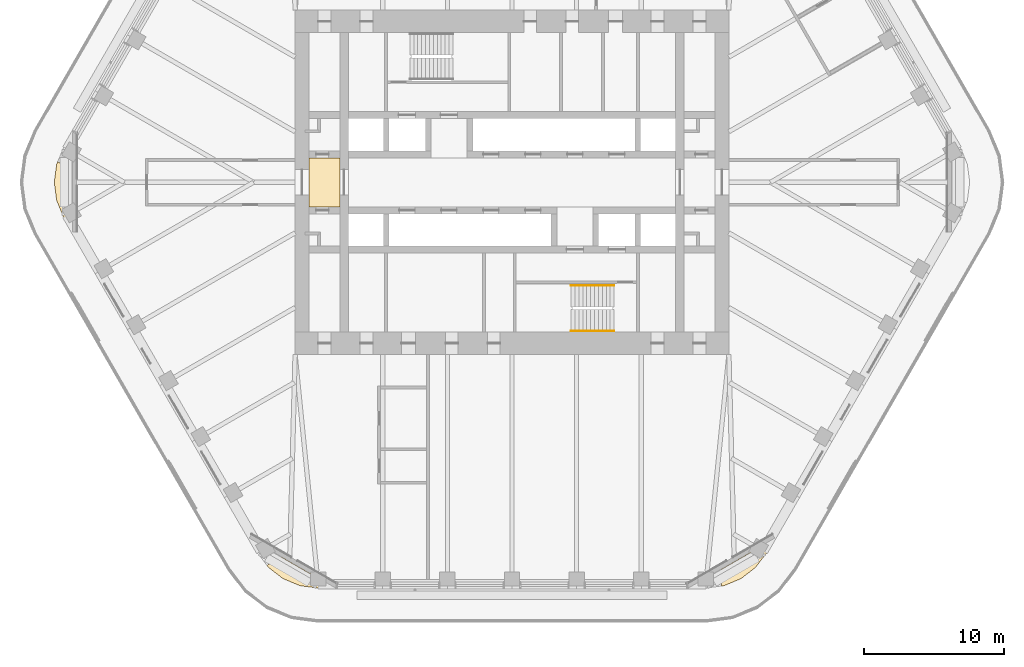
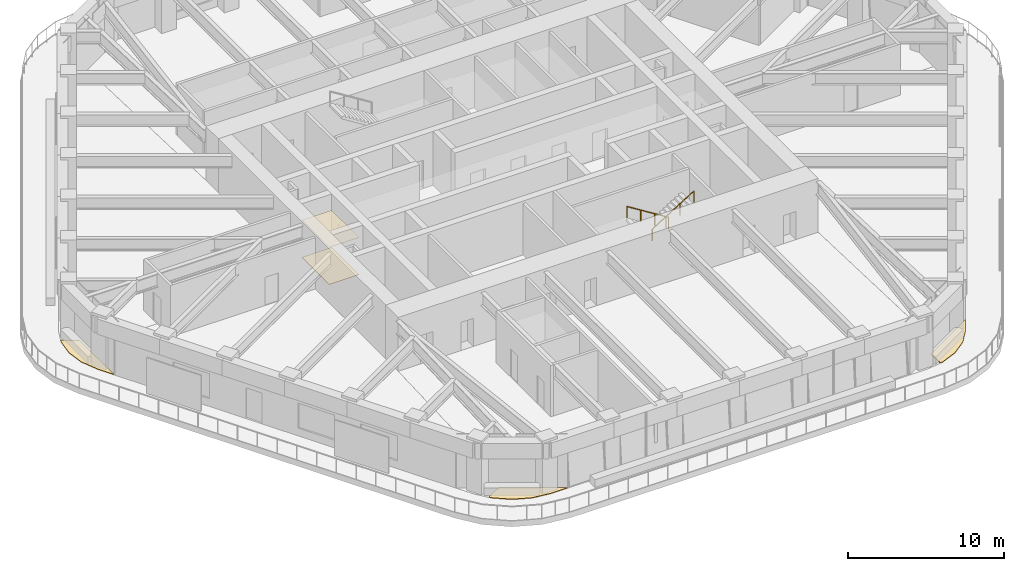
# One storey, part 18 of 20: 5 coverings, 2 railings.
"""IFC4 building model written with IfcOpenShell, lengths in metres."""

import ifcopenshell
import ifcopenshell.guid

model = None  # the IFC model being written
_history = None  # IfcOwnerHistory: only IFC2X3 demands one
_inside = {}  # id of a spatial element -> (the spatial element, [elements in it])
_under = {}  # id of a project, library or spatial element -> (it, [spatial elements below it])
_declared = {}  # id of a project -> (the project, [libraries it declares])
_typed = {}  # id of a type object -> (the type object, [elements of that type])
_made_of = {}  # id of a material, layer set ... -> (it, [elements and type objects made of it])


def new_model(schema):
    """Start an empty IFC model of exactly this schema.

    Asked for "IFC4X3", IfcOpenShell would pick the latest addendum, in which some entities
    have other attributes; the version numbers below select the first issue.
    IFC2X3 requires an IfcOwnerHistory on every rooted entity: one is made here for all.
    """
    global model, _history
    if schema == "IFC4X3":
        model = ifcopenshell.file(schema_version=(4, 3, 0, 0))
    else:
        model = ifcopenshell.file(schema=schema)
    _inside.clear()
    _under.clear()
    _declared.clear()
    _typed.clear()
    _made_of.clear()
    _history = None
    if model.schema == "IFC2X3":
        org = make("IfcOrganization", Name="unknown")
        user = make(
            "IfcPersonAndOrganization",
            ThePerson=make("IfcPerson", FamilyName="unknown"),
            TheOrganization=org,
        )
        app = make(
            "IfcApplication",
            ApplicationDeveloper=org,
            Version="unknown",
            ApplicationFullName="unknown",
            ApplicationIdentifier="unknown",
        )
        _history = make(
            "IfcOwnerHistory",
            OwningUser=user,
            OwningApplication=app,
            ChangeAction="ADDED",
            CreationDate=0,
        )
    return model


def make(cls, **values):
    """One entity of the class cls with the attributes given. An attribute that is None is left unset."""
    return model.create_entity(
        cls, **{name: value for name, value in values.items() if value is not None}
    )


def rooted(cls, **values):
    """An entity with a GlobalId (a new one), such as an element, a storey or a relation."""
    return make(cls, GlobalId=ifcopenshell.guid.new(), OwnerHistory=_history, **values)


def si_unit(unit_type, name, prefix=None):
    """IfcSIUnit, for example si_unit("LENGTHUNIT", "METRE", prefix="MILLI")."""
    return make("IfcSIUnit", UnitType=unit_type, Prefix=prefix, Name=name)


def assignment(units):
    """IfcUnitAssignment: the units of a project."""
    return None if units is None else make("IfcUnitAssignment", Units=units)


def point(xyz):
    """IfcCartesianPoint."""
    return None if xyz is None else make("IfcCartesianPoint", Coordinates=xyz)


def direction(xyz):
    """IfcDirection."""
    return None if xyz is None else make("IfcDirection", DirectionRatios=xyz)


def frame(location, z_axis=None, x_axis=None):
    """IfcAxis2Placement3D, a coordinate frame: its origin and axes. An axis left out is left unset."""
    return make(
        "IfcAxis2Placement3D",
        Location=point(location),
        Axis=direction(z_axis),
        RefDirection=direction(x_axis),
    )


def frame_2d(location, x_axis=None):
    """IfcAxis2Placement2D, a coordinate frame in the plane: its origin and x axis."""
    return make(
        "IfcAxis2Placement2D", Location=point(location), RefDirection=direction(x_axis)
    )


def origin():
    """The frame at (0, 0, 0) with its axes left unset."""
    return frame((0.0, 0.0, 0.0))


def origin_2d():
    """The frame at (0, 0) in the plane with its x axis left unset."""
    return frame_2d((0.0, 0.0))


def place(relative_to, where):
    """IfcLocalPlacement: puts the frame where relative to a parent placement (None: the world)."""
    return make(
        "IfcLocalPlacement", PlacementRelTo=relative_to, RelativePlacement=where
    )


def context(
    kind, dimensions, precision=None, world=None, true_north=None, identifier=None
):
    """IfcGeometricRepresentationContext, for example the 3D "Model" context."""
    return make(
        "IfcGeometricRepresentationContext",
        ContextIdentifier=identifier,
        ContextType=kind,
        CoordinateSpaceDimension=dimensions,
        Precision=precision,
        WorldCoordinateSystem=world,
        TrueNorth=true_north,
    )


def subcontext(parent, identifier, kind, view, scale=None):
    """IfcGeometricRepresentationSubContext, for example "Body" below "Model"."""
    return make(
        "IfcGeometricRepresentationSubContext",
        ContextIdentifier=identifier,
        ContextType=kind,
        ParentContext=parent,
        TargetScale=scale,
        TargetView=view,
    )


def project(units=None, contexts=None):
    """IfcProject with its units and contexts."""
    return rooted(
        "IfcProject",
        Name="project",
        RepresentationContexts=contexts,
        UnitsInContext=assignment(units),
    )


def spatial(cls, under=None, at=None, **own):
    """A site, building, storey or space (cls), placed at a placement, below another one or the project."""
    s = rooted(cls, ObjectPlacement=at, **own)
    if under is not None:
        _under.setdefault(under.id(), (under, []))[1].append(s)
    return s


def polyline(points):
    """IfcPolyline through the points."""
    return make("IfcPolyline", Points=[point(p) for p in points])


def profile(cls, at=None, kind="AREA", **sizes):
    """A parametric profile (cls). Its sizes go by their IFC names, for example OverallWidth=200.0."""
    return make(cls, ProfileType=kind, Position=at, **sizes)


def circle(**sizes):
    """IfcCircleProfileDef."""
    return profile("IfcCircleProfileDef", **sizes)


def outline(outer, holes=None, kind="AREA"):
    """IfcArbitraryClosedProfileDef: a profile drawn as a closed curve; with holes, ...WithVoids."""
    if holes is None:
        return make("IfcArbitraryClosedProfileDef", ProfileType=kind, OuterCurve=outer)
    return make(
        "IfcArbitraryProfileDefWithVoids",
        ProfileType=kind,
        OuterCurve=outer,
        InnerCurves=holes,
    )


def extrude(swept, where, along, depth):
    """IfcExtrudedAreaSolid: the profile swept, set in the frame where, extruded along a direction by depth."""
    return make(
        "IfcExtrudedAreaSolid",
        SweptArea=swept,
        Position=where,
        ExtrudedDirection=direction(along),
        Depth=depth,
    )


def shape(context_of_items, identifier, shape_type, items):
    """IfcShapeRepresentation: the items that make up one representation, for example the "Body"."""
    return make(
        "IfcShapeRepresentation",
        ContextOfItems=context_of_items,
        RepresentationIdentifier=identifier,
        RepresentationType=shape_type,
        Items=items,
    )


def material(Name=None, Category=None):
    """IfcMaterial."""
    return make("IfcMaterial", Name=Name, Category=Category)


def layer(
    of_material, thickness, ventilated=None, Name=None, Category=None, Priority=None
):
    """IfcMaterialLayer: one layer of a wall or slab, of a material (None: an air gap)."""
    return make(
        "IfcMaterialLayer",
        Material=of_material,
        LayerThickness=thickness,
        IsVentilated=ventilated,
        Name=Name,
        Category=Category,
        Priority=Priority,
    )


def layer_set(layers, Name=None):
    """IfcMaterialLayerSet."""
    return make("IfcMaterialLayerSet", MaterialLayers=layers, LayerSetName=Name)


def made_of(thing, what):
    """Note that an element or type object is made of a material, layer set ...; save() writes the relation."""
    if what is not None:
        _made_of.setdefault(what.id(), (what, []))[1].append(thing)
    return thing


def type_object(cls, material=None, **own):
    """A type object (cls), such as IfcWallType, which elements share."""
    return made_of(rooted(cls, **own), material)


def element(
    cls,
    number,
    at=None,
    inside=None,
    cuts=None,
    type_object=None,
    material=None,
    context=None,
    identifier="Body",
    shape_type=None,
    held_by="IfcProductDefinitionShape",
    body=None,
    shapes=None,
    **own,
):
    """One element of the class cls, such as IfcWall. Its Tag is "e" and its number.

    at: its placement. inside: the storey or other place that contains it. cuts: it is an
    opening in that element (IfcRelVoidsElement). A single representation is given by context,
    identifier, shape_type and body (its items); several are given by shapes. held_by: the class
    of the entity that holds the representations. save() writes the other relations.
    """
    e = rooted(cls, Tag="e%d" % number, ObjectPlacement=at, **own)
    if body is not None:
        shapes = [shape(context, identifier, shape_type, body)]
    if shapes is not None:
        e.Representation = make(held_by, Representations=shapes)
    if inside is not None:
        _inside.setdefault(inside.id(), (inside, []))[1].append(e)
    if cuts is not None:
        rooted(
            "IfcRelVoidsElement", RelatingBuildingElement=cuts, RelatedOpeningElement=e
        )
    if type_object is not None:
        _typed.setdefault(type_object.id(), (type_object, []))[1].append(e)
    return made_of(e, material)


def aggregate(whole, parts):
    """IfcRelAggregates: a whole, such as a stair, and the parts it consists of."""
    return rooted("IfcRelAggregates", RelatingObject=whole, RelatedObjects=parts)


def save(model, path):
    """Write the relations noted so far, then the file.

    IfcRelAggregates (storeys below a building ...), IfcRelContainedInSpatialStructure (elements
    in a storey), IfcRelDefinesByType, IfcRelAssociatesMaterial and IfcRelDeclares: one each for
    every whole, place, type object, material and project.
    """
    for whole, parts in _under.values():
        aggregate(whole, parts)
    for where, things in _inside.values():
        rooted(
            "IfcRelContainedInSpatialStructure",
            RelatedElements=things,
            RelatingStructure=where,
        )
    for kind, things in _typed.values():
        rooted("IfcRelDefinesByType", RelatedObjects=things, RelatingType=kind)
    for what, things in _made_of.values():
        rooted("IfcRelAssociatesMaterial", RelatedObjects=things, RelatingMaterial=what)
    for by, libraries in _declared.values():
        rooted("IfcRelDeclares", RelatingContext=by, RelatedDefinitions=libraries)
    model.write(path)


model = new_model("IFC4")

# Units and contexts
model_context = context("Model", 3, precision=1e-05, world=origin(), true_north=direction((0.0, 1.0)))
body_context = subcontext(model_context, "Body", "Model", "MODEL_VIEW")
ifc_project = project(units=[si_unit("LENGTHUNIT", "METRE"), si_unit("AREAUNIT", "SQUARE_METRE"), si_unit("VOLUMEUNIT", "CUBIC_METRE"), si_unit("PLANEANGLEUNIT", "RADIAN"), si_unit("MASSUNIT", "GRAM", prefix="KILO")], contexts=[model_context])

# Site, building, storey
site_placement = place(None, origin())
site = spatial("IfcSite", under=ifc_project, at=site_placement, CompositionType="ELEMENT")
building_placement = place(site_placement, origin())
building = spatial("IfcBuilding", under=site, at=building_placement, Name="Tarfa Lantern Tower", CompositionType="ELEMENT")
storey_placement = place(building_placement, frame((0.0, 0.0, 291.10009765625)))
storey = spatial("IfcBuildingStorey", under=building, at=storey_placement, Name="L66", CompositionType="ELEMENT", Elevation=291.10009765625)

# Coverings
ifc_material_1 = material(Name="Powder-coated aluminium panel", Category="aluminium")
ifc_layer_1 = layer(ifc_material_1, 0.030029296875)
ifc_layer_set_1 = layer_set([ifc_layer_1], Name="CL3 METAL PANEL CEILING 30")
covering_type_1 = type_object("IfcCoveringType", Name="CL3 METAL PANEL CEILING 30", PredefinedType="CEILING", material=ifc_layer_set_1)
covering_1_placement = place(storey_placement, frame((0.0, 0.0, 2.89990234375)))
element("IfcCovering", 1, at=covering_1_placement, inside=storey, type_object=covering_type_1, Name="Ceiling L66-01", PredefinedType="CEILING", context=body_context, shape_type="SweptSolid", body=[
    extrude(outline(polyline([(-14.5, -1.75), (-12.300048828125, -1.75), (-12.300048828125, 1.75), (-14.5, 1.75), (-14.5, -1.75)])), origin(), (0.0, 0.0, 1.0), 0.030029296875),
])
ifc_material_2 = material(Name="Honed limestone flooring", Category="masonry")
ifc_layer_2 = layer(ifc_material_2, 0.030029296875)
ifc_layer_set_2 = layer_set([ifc_layer_2], Name="FL2 STONE FLOORING 30")
covering_type_2 = type_object("IfcCoveringType", Name="FL2 STONE FLOORING 30", PredefinedType="FLOORING", material=ifc_layer_set_2)
covering_2_placement = place(storey_placement, origin())
element("IfcCovering", 2, at=covering_2_placement, inside=storey, type_object=covering_type_2, Name="Floor finish L66-01", PredefinedType="FLOORING", context=body_context, shape_type="SweptSolid", body=[
    extrude(outline(polyline([(-14.5, -1.75), (-12.300048828125, -1.75), (-12.300048828125, 1.75), (-14.5, 1.75), (-14.5, -1.75)])), origin(), (0.0, 0.0, 1.0), 0.02978515625),
])

# Railings
ifc_material_3 = material(Name="Stainless steel", Category="steel")
railing_type = type_object("IfcRailingType", Name="HR1 HANDRAIL 900", PredefinedType="HANDRAIL", material=ifc_material_3)
railing_1_placement = place(storey_placement, frame((7.300048828125, -7.3798828125, 0.1748046875)))
element("IfcRailing", 3, at=railing_1_placement, inside=storey, type_object=railing_type, Name="Handrail 1", PredefinedType="HANDRAIL", context=body_context, shape_type="SweptSolid", body=[
    extrude(circle(Radius=0.02392578125, at=origin_2d()), frame((0.0, 0.0, 0.8759765625), z_axis=(-0.847998304005, 0.0, 0.529998940003), x_axis=(0.0, -1.0, 0.0)), (0.0, 0.0, 1.0), 3.632080078125),
    extrude(circle(Radius=0.02099609375, at=origin_2d()), frame((0.0, 0.0, 0.0), z_axis=(0.0, 0.0, 1.0), x_axis=(0.0, -1.0, 0.0)), (0.0, 0.0, 1.0), 0.851806640625),
    extrude(circle(Radius=0.02099609375, at=origin_2d()), frame((-1.026611328125, 0.0, 0.6416015625), z_axis=(0.0, 0.0, 1.0), x_axis=(0.0, -1.0, 0.0)), (0.0, 0.0, 1.0), 0.851806640625),
    extrude(circle(Radius=0.02099609375, at=origin_2d()), frame((-2.053466796875, 0.0, 1.283447265625), z_axis=(0.0, 0.0, 1.0), x_axis=(0.0, -1.0, 0.0)), (0.0, 0.0, 1.0), 0.851806640625),
    extrude(circle(Radius=0.02099609375, at=origin_2d()), frame((-3.080078125, 0.0, 1.925048828125), z_axis=(0.0, 0.0, 1.0), x_axis=(0.0, -1.0, 0.0)), (0.0, 0.0, 1.0), 0.851806640625),
])
railing_2_placement = place(storey_placement, frame((4.219970703125, -10.6201171875, 2.27490234375)))
element("IfcRailing", 4, at=railing_2_placement, inside=storey, type_object=railing_type, Name="Handrail 2", PredefinedType="HANDRAIL", context=body_context, shape_type="SweptSolid", body=[
    extrude(circle(Radius=0.02392578125, at=origin_2d()), frame((0.0, 0.0, 0.8759765625), z_axis=(0.847998304005, 0.0, 0.529998940003), x_axis=(0.0, 1.0, 0.0)), (0.0, 0.0, 1.0), 3.632080078125),
    extrude(circle(Radius=0.02099609375, at=origin_2d()), frame((0.0, 0.0, 0.0), z_axis=(0.0, 0.0, 1.0), x_axis=(0.0, 1.0, 0.0)), (0.0, 0.0, 1.0), 0.851806640625),
    extrude(circle(Radius=0.02099609375, at=origin_2d()), frame((1.026611328125, 0.0, 0.6416015625), z_axis=(0.0, 0.0, 1.0), x_axis=(0.0, 1.0, 0.0)), (0.0, 0.0, 1.0), 0.851806640625),
    extrude(circle(Radius=0.02099609375, at=origin_2d()), frame((2.053466796875, 0.0, 1.283447265625), z_axis=(0.0, 0.0, 1.0), x_axis=(0.0, 1.0, 0.0)), (0.0, 0.0, 1.0), 0.851806640625),
    extrude(circle(Radius=0.02099609375, at=origin_2d()), frame((3.080078125, 0.0, 1.925048828125), z_axis=(0.0, 0.0, 1.0), x_axis=(0.0, 1.0, 0.0)), (0.0, 0.0, 1.0), 0.851806640625),
])

# Coverings
ifc_material_4 = material(Name="Porcelain pavers on pedestals", Category="ceramic")
ifc_layer_3 = layer(ifc_material_4, 0.0400390625)
ifc_layer_set_3 = layer_set([ifc_layer_3], Name="LP1 LOGGIA PAVING 40")
covering_type_3 = type_object("IfcCoveringType", Name="LP1 LOGGIA PAVING 40", PredefinedType="FLOORING", material=ifc_layer_set_3)
covering_3_placement = place(storey_placement, origin())
element("IfcCovering", 5, at=covering_3_placement, inside=storey, type_object=covering_type_3, Name="Sky garden paving NW-SW", PredefinedType="FLOORING", context=body_context, shape_type="SweptSolid", body=[
    extrude(outline(polyline([(-32.54248046875, -1.294189453125), (-32.712890625, 0.0), (-32.54248046875, 1.294189453125), (-32.467529296875, 1.474853515625), (-31.43310546875, 0.877685546875), (-31.43310546875, -3.55078125), (-31.436279296875, -3.55078125), (-32.04296875, -2.5), (-32.54248046875, -1.294189453125)])), origin(), (0.0, 0.0, 1.0), 0.039794921875),
])
covering_4_placement = place(storey_placement, origin())
element("IfcCovering", 6, at=covering_4_placement, inside=storey, type_object=covering_type_3, Name="Sky garden paving SW-S", PredefinedType="FLOORING", context=body_context, shape_type="SweptSolid", body=[
    extrude(outline(polyline([(-15.150390625, -28.82958984375), (-16.3564453125, -28.330078125), (-17.391845703125, -27.53564453125), (-17.51123046875, -27.380126953125), (-16.4765625, -26.782958984375), (-12.641357421875, -28.997314453125), (-12.64306640625, -29.0), (-13.8564453125, -29.0), (-15.150390625, -28.82958984375)])), origin(), (0.0, 0.0, 1.0), 0.039794921875),
])
covering_5_placement = place(storey_placement, origin())
element("IfcCovering", 7, at=covering_5_placement, inside=storey, type_object=covering_type_3, Name="Sky garden paving S-SE", PredefinedType="FLOORING", context=body_context, shape_type="SweptSolid", body=[
    extrude(outline(polyline([(17.391845703125, -27.53564453125), (16.3564453125, -28.330078125), (15.150390625, -28.82958984375), (14.956298828125, -28.855224609375), (14.956298828125, -27.66064453125), (18.791748046875, -25.4462890625), (18.793212890625, -25.44921875), (18.1865234375, -26.5), (17.391845703125, -27.53564453125)])), origin(), (0.0, 0.0, 1.0), 0.039794921875),
])

save(model, "model.ifc")
